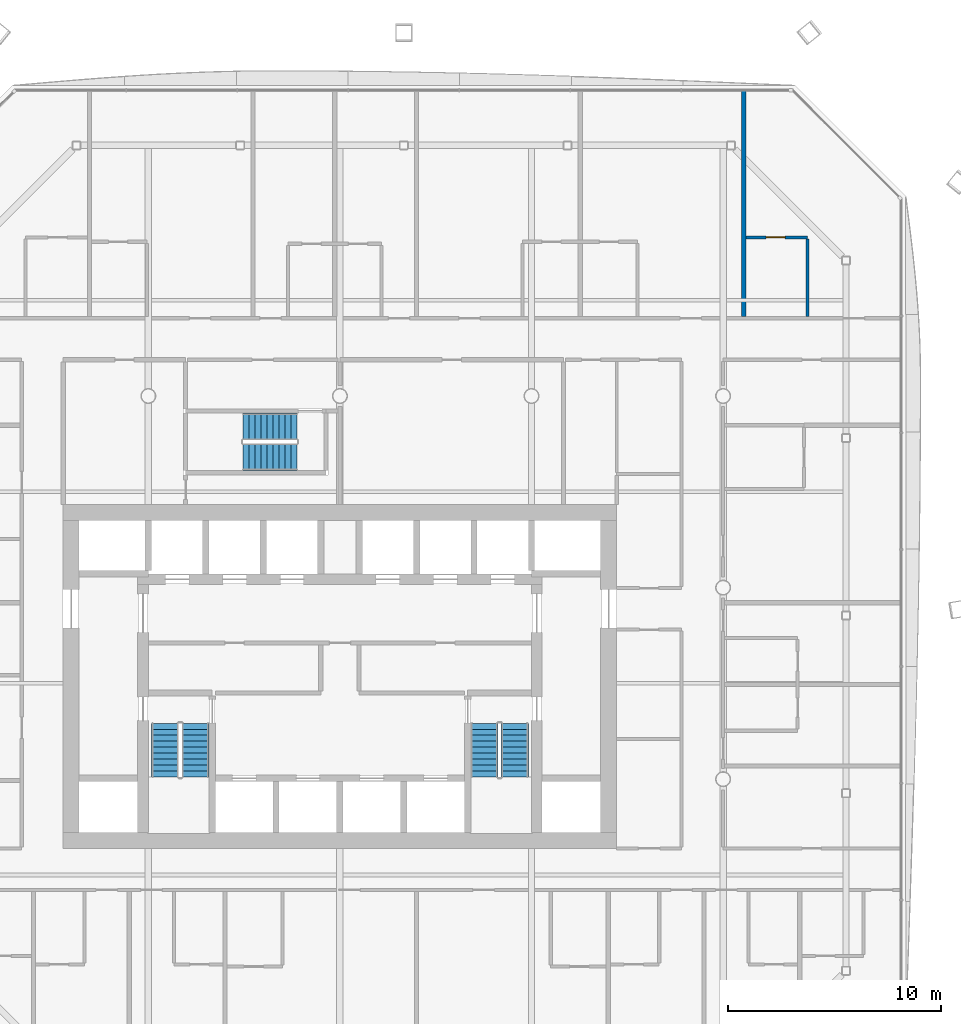
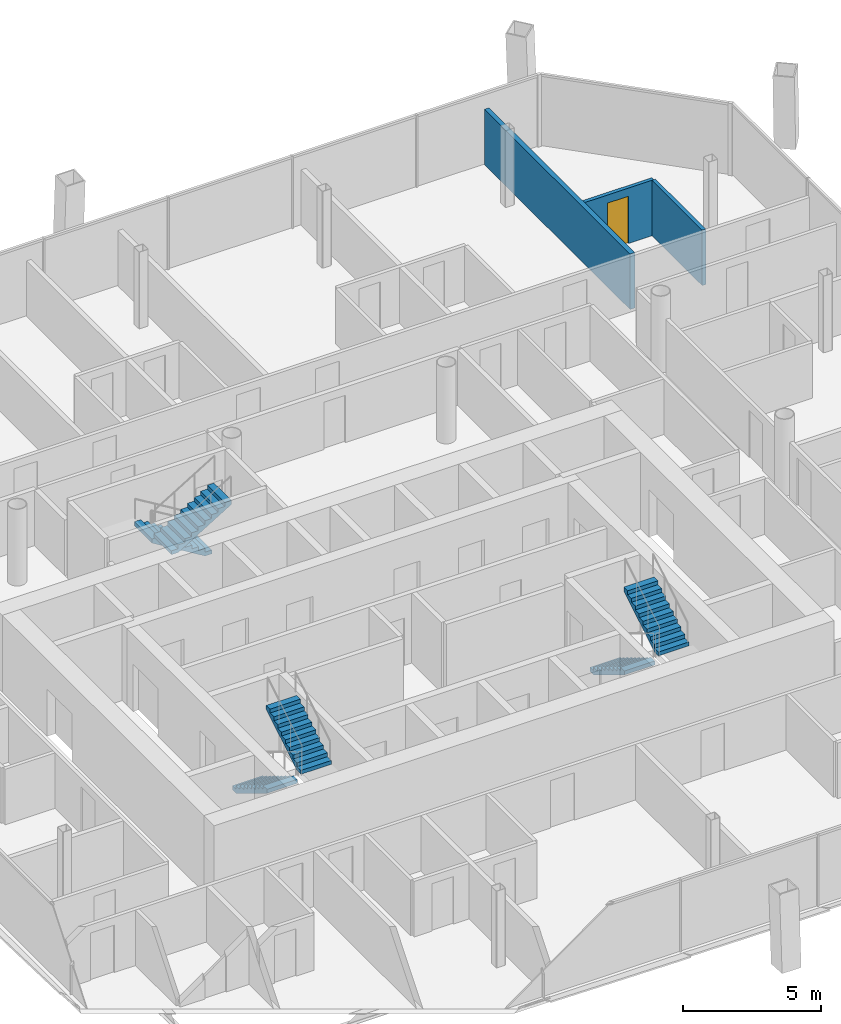
# One storey, part 16 of 21: 6 stair flights, 3 walls, 1 door, 1 opening, 3 elements without a shape of their own.
"""IFC4 building model written with IfcOpenShell, lengths in metres."""

from ifc_helpers import new_model, si_unit, direction, frame, frame_2d, origin, place, context, subcontext, project, spatial, polyline, rectangle, outline, extrude, material, layer, layer_set, type_object, element, fill, aggregate, save


model = new_model("IFC4")

# Units and contexts
model_context = context("Model", 3, precision=1e-05, world=origin(), true_north=direction((0.0, 1.0)))
body_context = subcontext(model_context, "Body", "Model", "MODEL_VIEW")
ifc_project = project(units=[si_unit("LENGTHUNIT", "METRE"), si_unit("AREAUNIT", "SQUARE_METRE"), si_unit("VOLUMEUNIT", "CUBIC_METRE"), si_unit("PLANEANGLEUNIT", "RADIAN"), si_unit("MASSUNIT", "GRAM", prefix="KILO")], contexts=[model_context])

# Site, building, storey
site_placement = place(None, origin())
site = spatial("IfcSite", under=ifc_project, at=site_placement, CompositionType="ELEMENT")
building_placement = place(site_placement, origin())
building = spatial("IfcBuilding", under=site, at=building_placement, Name="Tskaro Facet Tower", CompositionType="ELEMENT")
storey_placement = place(building_placement, frame((0.0, 0.0, 128.300048828125)))
storey = spatial("IfcBuildingStorey", under=building, at=storey_placement, Name="L30", CompositionType="ELEMENT", Elevation=128.300048828125)

# Wall, opening, door
ifc_material_1 = material(Name="Gypsum board on steel studs", Category="steel")
ifc_layer_1 = layer(ifc_material_1, 0.14990234375, Name="Gypsum board on steel studs")
ifc_layer_set_1 = layer_set([ifc_layer_1], Name="Gypsum board on steel studs")
wall_type_1 = type_object("IfcWallType", Name="PART-CORR", PredefinedType="PARTITIONING", material=ifc_layer_set_1)
wall_1_placement = place(storey_placement, frame((21.968017578125, 16.449951171875, 0.0), z_axis=(0.0, 0.0, 1.0), x_axis=(-1.0, 0.0, 0.0)))
wall_1 = element("IfcWall", 1, at=wall_1_placement, inside=storey, type_object=wall_type_1, Name="Corridor wall W054", PredefinedType="PARTITIONING", context=body_context, shape_type="SweptSolid", body=[
    extrude(rectangle(XDim=2.89990234375, YDim=0.14990234375, at=frame_2d((1.449951171875, 0.0))), origin(), (0.0, 0.0, 1.0), 2.4599609375),
])
opening_placement = place(wall_1_placement, frame((1.050048828125, 0.0, 0.0)))
opening = element("IfcOpeningElement", 2, at=opening_placement, cuts=wall_1, Name="Opening T8-D63", PredefinedType="OPENING", context=body_context, shape_type="SweptSolid", body=[
    extrude(rectangle(XDim=0.89990234375, YDim=2.10009765625, at=frame_2d((0.449951171875, 1.050048828125))), frame((0.0, 0.0849609375, 0.0), z_axis=(0.0, -1.0, 0.0), x_axis=(1.0, 0.0, 0.0)), (0.0, 0.0, 1.0), 0.169921875),
])
ifc_material_2 = material(Name="Timber", Category="wood")
door_type = type_object("IfcDoorType", Name="D-ROOM", OperationType="NOTDEFINED", PredefinedType="DOOR", material=ifc_material_2)
door_placement = place(opening_placement, origin())
door = element("IfcDoor", 3, at=door_placement, inside=storey, type_object=door_type, Name="Door T8-D63", OperationType="SINGLE_SWING_RIGHT", OverallHeight=2.10009765625, OverallWidth=0.89990234375, PredefinedType="DOOR", context=body_context, shape_type="SweptSolid", body=[
    extrude(rectangle(XDim=0.89990234375, YDim=2.10009765625, at=frame_2d((0.449951171875, 1.050048828125))), frame((0.0, 0.02490234375, 0.0), z_axis=(0.0, -1.0, 0.0), x_axis=(1.0, 0.0, 0.0)), (0.0, 0.0, 1.0), 0.050048828125),
])
fill(opening, door)

# Walls
wall_2_placement = place(storey_placement, frame((21.968017578125, 12.72509765625, 0.0), z_axis=(0.0, 0.0, 1.0), x_axis=(0.0, 1.0, 0.0)))
element("IfcWall", 4, at=wall_2_placement, inside=storey, type_object=wall_type_1, Name="Corridor wall W116", PredefinedType="PARTITIONING", context=body_context, shape_type="SweptSolid", body=[
    extrude(rectangle(XDim=3.64990234375, YDim=0.14990234375, at=frame_2d((1.824951171875, 0.0))), origin(), (0.0, 0.0, 1.0), 2.4599609375),
])
ifc_layer_2 = layer(ifc_material_1, 0.199951171875, Name="Gypsum board on steel studs")
ifc_layer_set_2 = layer_set([ifc_layer_2], Name="Gypsum board on steel studs")
wall_type_2 = type_object("IfcWallType", Name="PART-DEMISING", PredefinedType="PARTITIONING", material=ifc_layer_set_2)
wall_3_placement = place(storey_placement, frame((18.968017578125, 12.72509765625, 0.0), z_axis=(0.0, 0.0, 1.0), x_axis=(0.0, 1.0, 0.0)))
element("IfcWall", 5, at=wall_3_placement, inside=storey, type_object=wall_type_2, Name="Guest room wall W111", PredefinedType="PARTITIONING", context=body_context, shape_type="SweptSolid", body=[
    extrude(rectangle(XDim=10.591796875, YDim=0.199951171875, at=frame_2d((5.2958984375, 0.0))), origin(), (0.0, 0.0, 1.0), 2.4599609375),
])

# Stair, stair flights
ifc_material_3 = material(Name="Concrete C40/50", Category="concrete")
stair_type = type_object("IfcStairType", Name="ST-TWR", PredefinedType="HALF_TURN_STAIR", material=ifc_material_3)
stair_1_placement = place(storey_placement, origin())
stair_1 = element("IfcStair", 6, at=stair_1_placement, inside=storey, type_object=stair_type, Name="L30 Exit stair 1", PredefinedType="HALF_TURN_STAIR")
stair_flight_type = type_object("IfcStairFlightType", Name="SFL-RC", PredefinedType="STRAIGHT", material=ifc_material_3)
stair_flight_1_placement = place(storey_placement, frame((-8.21240234375, -6.375, 0.0), z_axis=(0.0, 0.0, 1.0), x_axis=(0.0, -1.0, 0.0)))
stair_flight_1 = element("IfcStairFlight", 7, at=stair_flight_1_placement, type_object=stair_flight_type, Name="ST-1 flight 1", NumberOfRisers=10, NumberOfTreads=9, PredefinedType="STRAIGHT", RiserHeight=0.17, TreadLength=0.28, context=body_context, shape_type="SweptSolid", body=[
    extrude(outline(polyline([(0.0, 0.0), (0.0, 0.169921875), (0.280029296875, 0.169921875), (0.280029296875, 0.340087890625), (0.56005859375, 0.340087890625), (0.56005859375, 0.510009765625), (0.840087890625, 0.510009765625), (0.840087890625, 0.679931640625), (1.1201171875, 0.679931640625), (1.1201171875, 0.85009765625), (1.39990234375, 0.85009765625), (1.39990234375, 1.02001953125), (1.679931640625, 1.02001953125), (1.679931640625, 1.18994140625), (1.9599609375, 1.18994140625), (1.9599609375, 1.360107421875), (2.239990234375, 1.360107421875), (2.239990234375, 1.530029296875), (2.52001953125, 1.530029296875), (2.52001953125, 1.699951171875), (2.52001953125, 1.354736328125), (0.288818359375, 0.0), (0.0, 0.0)])), frame((0.0, 0.637451171875, 0.0), z_axis=(0.0, -1.0, 0.0), x_axis=(1.0, 0.0, 0.0)), (0.0, 0.0, 1.0), 1.27490234375),
])
stair_flight_2_placement = place(storey_placement, frame((-6.78759765625, -8.89501953125, 1.699951171875), z_axis=(0.0, 0.0, 1.0), x_axis=(0.0, 1.0, 0.0)))
stair_flight_2 = element("IfcStairFlight", 8, at=stair_flight_2_placement, type_object=stair_flight_type, Name="ST-1 flight 2", NumberOfRisers=10, NumberOfTreads=9, PredefinedType="STRAIGHT", RiserHeight=0.17, TreadLength=0.28, context=body_context, shape_type="SweptSolid", body=[
    extrude(outline(polyline([(0.0, 0.0), (0.0, 0.169921875), (0.280029296875, 0.169921875), (0.280029296875, 0.340087890625), (0.56005859375, 0.340087890625), (0.56005859375, 0.510009765625), (0.840087890625, 0.510009765625), (0.840087890625, 0.679931640625), (1.1201171875, 0.679931640625), (1.1201171875, 0.85009765625), (1.39990234375, 0.85009765625), (1.39990234375, 1.02001953125), (1.679931640625, 1.02001953125), (1.679931640625, 1.18994140625), (1.9599609375, 1.18994140625), (1.9599609375, 1.360107421875), (2.239990234375, 1.360107421875), (2.239990234375, 1.530029296875), (2.52001953125, 1.530029296875), (2.52001953125, 1.699951171875), (2.52001953125, 1.354736328125), (0.288818359375, 0.0), (0.0, 0.0)])), frame((0.0, 0.637451171875, 0.0), z_axis=(0.0, -1.0, 0.0), x_axis=(1.0, 0.0, 0.0)), (0.0, 0.0, 1.0), 1.27490234375),
])
aggregate(stair_1, [stair_flight_1, stair_flight_2])

stair_2_placement = place(storey_placement, origin())
stair_2 = element("IfcStair", 9, at=stair_2_placement, inside=storey, type_object=stair_type, Name="L30 Exit stair 2", PredefinedType="HALF_TURN_STAIR")
stair_flight_3_placement = place(storey_placement, frame((6.78759765625, -6.375, 0.0), z_axis=(0.0, 0.0, 1.0), x_axis=(0.0, -1.0, 0.0)))
stair_flight_3 = element("IfcStairFlight", 10, at=stair_flight_3_placement, type_object=stair_flight_type, Name="ST-2 flight 1", NumberOfRisers=10, NumberOfTreads=9, PredefinedType="STRAIGHT", RiserHeight=0.17, TreadLength=0.28, context=body_context, shape_type="SweptSolid", body=[
    extrude(outline(polyline([(0.0, 0.0), (0.0, 0.169921875), (0.280029296875, 0.169921875), (0.280029296875, 0.340087890625), (0.56005859375, 0.340087890625), (0.56005859375, 0.510009765625), (0.840087890625, 0.510009765625), (0.840087890625, 0.679931640625), (1.1201171875, 0.679931640625), (1.1201171875, 0.85009765625), (1.39990234375, 0.85009765625), (1.39990234375, 1.02001953125), (1.679931640625, 1.02001953125), (1.679931640625, 1.18994140625), (1.9599609375, 1.18994140625), (1.9599609375, 1.360107421875), (2.239990234375, 1.360107421875), (2.239990234375, 1.530029296875), (2.52001953125, 1.530029296875), (2.52001953125, 1.699951171875), (2.52001953125, 1.354736328125), (0.288818359375, 0.0), (0.0, 0.0)])), frame((0.0, 0.637451171875, 0.0), z_axis=(0.0, -1.0, 0.0), x_axis=(1.0, 0.0, 0.0)), (0.0, 0.0, 1.0), 1.27490234375),
])
stair_flight_4_placement = place(storey_placement, frame((8.21240234375, -8.89501953125, 1.699951171875), z_axis=(0.0, 0.0, 1.0), x_axis=(0.0, 1.0, 0.0)))
stair_flight_4 = element("IfcStairFlight", 11, at=stair_flight_4_placement, type_object=stair_flight_type, Name="ST-2 flight 2", NumberOfRisers=10, NumberOfTreads=9, PredefinedType="STRAIGHT", RiserHeight=0.17, TreadLength=0.28, context=body_context, shape_type="SweptSolid", body=[
    extrude(outline(polyline([(0.0, 0.0), (0.0, 0.169921875), (0.280029296875, 0.169921875), (0.280029296875, 0.340087890625), (0.56005859375, 0.340087890625), (0.56005859375, 0.510009765625), (0.840087890625, 0.510009765625), (0.840087890625, 0.679931640625), (1.1201171875, 0.679931640625), (1.1201171875, 0.85009765625), (1.39990234375, 0.85009765625), (1.39990234375, 1.02001953125), (1.679931640625, 1.02001953125), (1.679931640625, 1.18994140625), (1.9599609375, 1.18994140625), (1.9599609375, 1.360107421875), (2.239990234375, 1.360107421875), (2.239990234375, 1.530029296875), (2.52001953125, 1.530029296875), (2.52001953125, 1.699951171875), (2.52001953125, 1.354736328125), (0.288818359375, 0.0), (0.0, 0.0)])), frame((0.0, 0.637451171875, 0.0), z_axis=(0.0, -1.0, 0.0), x_axis=(1.0, 0.0, 0.0)), (0.0, 0.0, 1.0), 1.27490234375),
])
aggregate(stair_2, [stair_flight_3, stair_flight_4])

stair_3_placement = place(storey_placement, origin())
stair_3 = element("IfcStair", 12, at=stair_3_placement, inside=storey, type_object=stair_type, Name="L30 Exit stair 3", PredefinedType="HALF_TURN_STAIR")
stair_flight_5_placement = place(storey_placement, frame((-2.02490234375, 7.5625, 0.0), z_axis=(0.0, 0.0, 1.0), x_axis=(-1.0, 0.0, 0.0)))
stair_flight_5 = element("IfcStairFlight", 13, at=stair_flight_5_placement, type_object=stair_flight_type, Name="ST-3 flight 1", NumberOfRisers=10, NumberOfTreads=9, PredefinedType="STRAIGHT", RiserHeight=0.17, TreadLength=0.28, context=body_context, shape_type="SweptSolid", body=[
    extrude(outline(polyline([(0.0, 0.0), (0.0, 0.169921875), (0.280029296875, 0.169921875), (0.280029296875, 0.340087890625), (0.56005859375, 0.340087890625), (0.56005859375, 0.510009765625), (0.840087890625, 0.510009765625), (0.840087890625, 0.679931640625), (1.1201171875, 0.679931640625), (1.1201171875, 0.85009765625), (1.39990234375, 0.85009765625), (1.39990234375, 1.02001953125), (1.679931640625, 1.02001953125), (1.679931640625, 1.18994140625), (1.9599609375, 1.18994140625), (1.9599609375, 1.360107421875), (2.239990234375, 1.360107421875), (2.239990234375, 1.530029296875), (2.52001953125, 1.530029296875), (2.52001953125, 1.699951171875), (2.52001953125, 1.354736328125), (0.288818359375, 0.0), (0.0, 0.0)])), frame((0.0, 0.637451171875, 0.0), z_axis=(0.0, -1.0, 0.0), x_axis=(1.0, 0.0, 0.0)), (0.0, 0.0, 1.0), 1.27490234375),
])
stair_flight_6_placement = place(storey_placement, frame((-4.544921875, 6.137451171875, 1.699951171875), z_axis=(0.0, 0.0, 1.0), x_axis=(1.0, 0.0, 0.0)))
stair_flight_6 = element("IfcStairFlight", 14, at=stair_flight_6_placement, type_object=stair_flight_type, Name="ST-3 flight 2", NumberOfRisers=10, NumberOfTreads=9, PredefinedType="STRAIGHT", RiserHeight=0.17, TreadLength=0.28, context=body_context, shape_type="SweptSolid", body=[
    extrude(outline(polyline([(0.0, 0.0), (0.0, 0.169921875), (0.280029296875, 0.169921875), (0.280029296875, 0.340087890625), (0.56005859375, 0.340087890625), (0.56005859375, 0.510009765625), (0.840087890625, 0.510009765625), (0.840087890625, 0.679931640625), (1.1201171875, 0.679931640625), (1.1201171875, 0.85009765625), (1.39990234375, 0.85009765625), (1.39990234375, 1.02001953125), (1.679931640625, 1.02001953125), (1.679931640625, 1.18994140625), (1.9599609375, 1.18994140625), (1.9599609375, 1.360107421875), (2.239990234375, 1.360107421875), (2.239990234375, 1.530029296875), (2.52001953125, 1.530029296875), (2.52001953125, 1.699951171875), (2.52001953125, 1.354736328125), (0.288818359375, 0.0), (0.0, 0.0)])), frame((0.0, 0.637451171875, 0.0), z_axis=(0.0, -1.0, 0.0), x_axis=(1.0, 0.0, 0.0)), (0.0, 0.0, 1.0), 1.27490234375),
])
aggregate(stair_3, [stair_flight_5, stair_flight_6])

save(model, "model.ifc")
